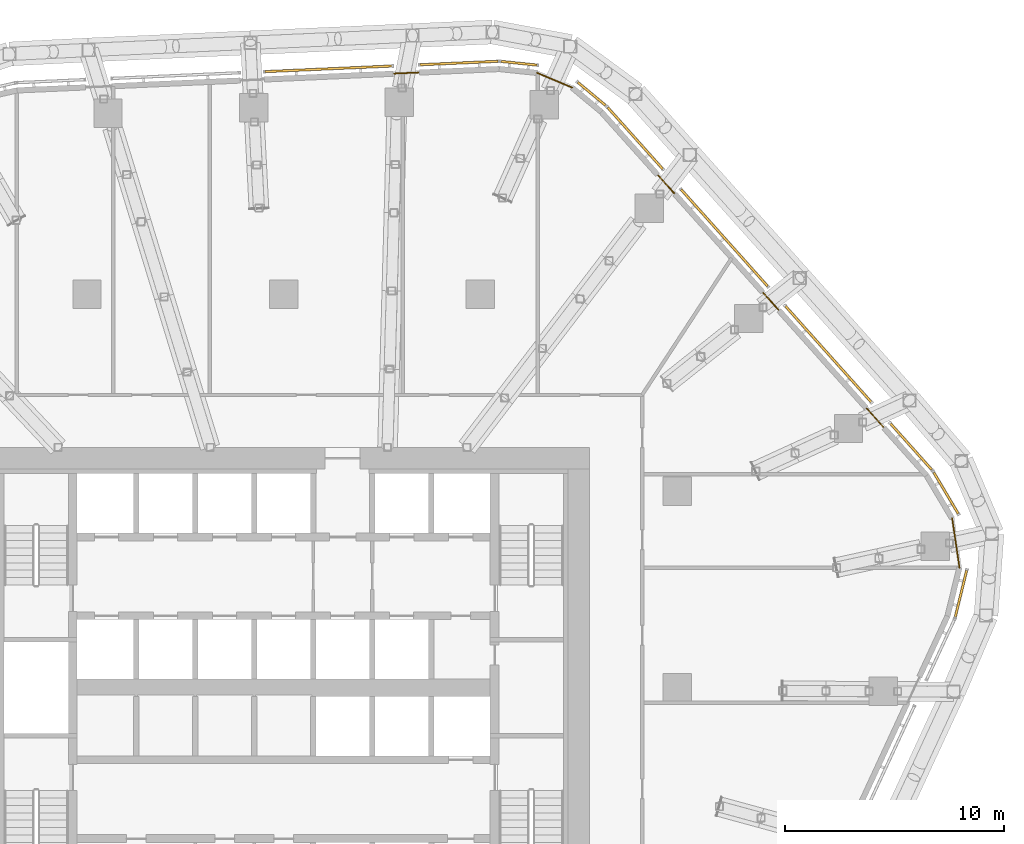
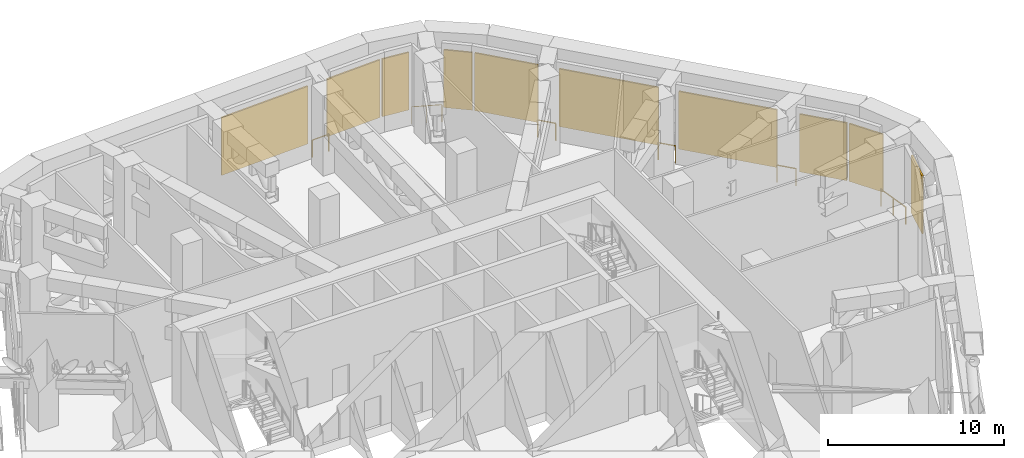
# One storey, part 30 of 30: 10 coverings, 6 railings, 4 elements without a shape of their own.
"""IFC4 building model written with IfcOpenShell, lengths in metres."""

from ifc_helpers import new_model, si_unit, direction, frame, origin, origin_2d, place, context, subcontext, project, spatial, rectangle, circle, extrude, material, layer, layer_set, type_object, element, aggregate, save


model = new_model("IFC4")

# Units and contexts
model_context = context("Model", 3, precision=1e-05, world=origin(), true_north=direction((0.0, 1.0)))
body_context = subcontext(model_context, "Body", "Model", "MODEL_VIEW")
ifc_project = project(units=[si_unit("LENGTHUNIT", "METRE"), si_unit("AREAUNIT", "SQUARE_METRE"), si_unit("VOLUMEUNIT", "CUBIC_METRE"), si_unit("PLANEANGLEUNIT", "RADIAN"), si_unit("MASSUNIT", "GRAM", prefix="KILO")], contexts=[model_context])

# Site, building, storey
site_placement = place(None, origin())
site = spatial("IfcSite", under=ifc_project, at=site_placement, CompositionType="ELEMENT")
building_placement = place(site_placement, origin())
building = spatial("IfcBuilding", under=site, at=building_placement, Name="Dongbaek Canopy Tower", CompositionType="ELEMENT")
storey_placement = place(building_placement, frame((0.0, 0.0, 145.60009765625)))
storey = spatial("IfcBuildingStorey", under=building, at=storey_placement, Name="L32", CompositionType="ELEMENT", Elevation=145.60009765625)

# Curtain wall, coverings
ifc_material_1 = material(Name="Aluminium 6063-T6 pale anodised", Category="aluminium")
ifc_layer_1 = layer(ifc_material_1, 0.14990234375)
ifc_layer_set_1 = layer_set([ifc_layer_1], Name="CW-7 louvre curtain wall")
curtain_wall_type = type_object("IfcCurtainWallType", Name="CW-7 louvre curtain wall", PredefinedType="NOTDEFINED", material=ifc_layer_set_1)
curtain_wall_1_placement = place(storey_placement, origin())
curtain_wall_1 = element("IfcCurtainWall", 1, at=curtain_wall_1_placement, inside=storey, type_object=curtain_wall_type, Name="CW-7 louvre wall L32 K0", PredefinedType="NOTDEFINED")
ifc_material_2 = material(Name="Aluminium 6063-T6 pale metal louvre blades", Category="aluminium")
ifc_layer_2 = layer(ifc_material_2, 0.10009765625)
ifc_layer_set_2 = layer_set([ifc_layer_2], Name="Louvre LV bank 100 x 4000")
covering_type = type_object("IfcCoveringType", Name="Louvre LV bank 100 x 4000", PredefinedType="CLADDING", material=ifc_layer_set_2)
covering_1_placement = place(storey_placement, frame((30.98974609375, 4.307861328125, 0.77490234375), z_axis=(0.0, 0.0, 1.0), x_axis=(0.237585371105, 0.971366661687, 0.0)))
covering_1 = element("IfcCovering", 2, at=covering_1_placement, type_object=covering_type, Name="Louvre L32 K0.1.1", PredefinedType="CLADDING", context=body_context, shape_type="SweptSolid", body=[
    extrude(rectangle(XDim=2.193359375, YDim=0.10009765625, at=origin_2d()), origin(), (0.0, 0.0, 1.0), 4.0),
])
covering_2_placement = place(storey_placement, frame((30.3037109375, 8.908935546875, 0.77490234375), z_axis=(0.0, 0.0, 1.0), x_axis=(-0.510580070547, 0.859830210891, 0.0)))
covering_2 = element("IfcCovering", 3, at=covering_2_placement, type_object=covering_type, Name="Louvre L32 K0.2.1", PredefinedType="CLADDING", context=body_context, shape_type="SweptSolid", body=[
    extrude(rectangle(XDim=2.193359375, YDim=0.10009765625, at=origin_2d()), origin(), (0.0, 0.0, 1.0), 4.0),
])
aggregate(curtain_wall_1, [covering_1, covering_2])

curtain_wall_2_placement = place(storey_placement, origin())
curtain_wall_2 = element("IfcCurtainWall", 4, at=curtain_wall_2_placement, inside=storey, type_object=curtain_wall_type, Name="CW-7 louvre wall L32 F0", PredefinedType="NOTDEFINED")
covering_3_placement = place(storey_placement, frame((28.705322265625, 11.03564453125, 0.77490234375), z_axis=(0.0, 0.0, 1.0), x_axis=(-0.666716064964, 0.745311806373, 0.0)))
covering_3 = element("IfcCovering", 5, at=covering_3_placement, type_object=covering_type, Name="Louvre L32 F0.1.1", PredefinedType="CLADDING", context=body_context, shape_type="SweptSolid", body=[
    extrude(rectangle(XDim=2.836181640625, YDim=0.10009765625, at=origin_2d()), origin(), (0.0, 0.0, 1.0), 4.0),
])
covering_4_placement = place(storey_placement, frame((24.9169921875, 15.270751953125, 0.77490234375), z_axis=(0.0, 0.0, 1.0), x_axis=(-0.666716064964, 0.745311806373, 0.0)))
covering_4 = element("IfcCovering", 6, at=covering_4_placement, type_object=covering_type, Name="Louvre L32 F0.2.1", PredefinedType="CLADDING", context=body_context, shape_type="SweptSolid", body=[
    extrude(rectangle(XDim=5.8857421875, YDim=0.10009765625, at=origin_2d()), origin(), (0.0, 0.0, 1.0), 4.0),
])
covering_5_placement = place(storey_placement, frame((20.166748046875, 20.580810546875, 0.77490234375), z_axis=(0.0, 0.0, 1.0), x_axis=(-0.666716064964, 0.745311806373, 0.0)))
covering_5 = element("IfcCovering", 7, at=covering_5_placement, type_object=covering_type, Name="Louvre L32 F0.3.1", PredefinedType="CLADDING", context=body_context, shape_type="SweptSolid", body=[
    extrude(rectangle(XDim=5.933837890625, YDim=0.10009765625, at=origin_2d()), origin(), (0.0, 0.0, 1.0), 4.0),
])
covering_6_placement = place(storey_placement, frame((16.08349609375, 25.1455078125, 0.77490234375), z_axis=(0.0, 0.0, 1.0), x_axis=(-0.666716064964, 0.745311806373, 0.0)))
covering_6 = element("IfcCovering", 8, at=covering_6_placement, type_object=covering_type, Name="Louvre L32 F0.4.1", PredefinedType="CLADDING", context=body_context, shape_type="SweptSolid", body=[
    extrude(rectangle(XDim=3.77197265625, YDim=0.10009765625, at=origin_2d()), origin(), (0.0, 0.0, 1.0), 4.0),
])
aggregate(curtain_wall_2, [covering_3, covering_4, covering_5, covering_6])

curtain_wall_3_placement = place(storey_placement, origin())
curtain_wall_3 = element("IfcCurtainWall", 9, at=curtain_wall_3_placement, inside=storey, type_object=curtain_wall_type, Name="CW-7 louvre wall L32 K1", PredefinedType="NOTDEFINED")
covering_7_placement = place(storey_placement, frame((14.089111328125, 27.17724609375, 0.77490234375), z_axis=(0.0, 0.0, 1.0), x_axis=(-0.769052031446, 0.639186180176, 0.0)))
covering_7 = element("IfcCovering", 10, at=covering_7_placement, type_object=covering_type, Name="Louvre L32 K1.1.1", PredefinedType="CLADDING", context=body_context, shape_type="SweptSolid", body=[
    extrude(rectangle(XDim=1.652099609375, YDim=0.10009765625, at=origin_2d()), origin(), (0.0, 0.0, 1.0), 4.0),
])
covering_8_placement = place(storey_placement, frame((10.766357421875, 28.575439453125, 0.77490234375), z_axis=(0.0, 0.0, 1.0), x_axis=(-0.99468080304, 0.103005339972, 0.0)))
covering_8 = element("IfcCovering", 11, at=covering_8_placement, type_object=covering_type, Name="Louvre L32 K1.2.1", PredefinedType="CLADDING", context=body_context, shape_type="SweptSolid", body=[
    extrude(rectangle(XDim=1.652099609375, YDim=0.10009765625, at=origin_2d()), origin(), (0.0, 0.0, 1.0), 4.0),
])
aggregate(curtain_wall_3, [covering_7, covering_8])

curtain_wall_4_placement = place(storey_placement, origin())
curtain_wall_4 = element("IfcCurtainWall", 12, at=curtain_wall_4_placement, inside=storey, type_object=curtain_wall_type, Name="CW-7 louvre wall L32 F1", PredefinedType="NOTDEFINED")
covering_9_placement = place(storey_placement, frame((8.021484375, 28.585693359375, 0.77490234375), z_axis=(0.0, 0.0, 1.0), x_axis=(-0.999015616031, -0.044359879696, 0.0)))
covering_9 = element("IfcCovering", 13, at=covering_9_placement, type_object=covering_type, Name="Louvre L32 F1.1.1", PredefinedType="CLADDING", context=body_context, shape_type="SweptSolid", body=[
    extrude(rectangle(XDim=3.56689453125, YDim=0.10009765625, at=origin_2d()), origin(), (0.0, 0.0, 1.0), 4.0),
])
covering_10_placement = place(storey_placement, frame((2.044189453125, 28.320068359375, 0.77490234375), z_axis=(0.0, 0.0, 1.0), x_axis=(-0.999015616031, -0.044359879696, 0.0)))
covering_10 = element("IfcCovering", 14, at=covering_10_placement, type_object=covering_type, Name="Louvre L32 F1.2.1", PredefinedType="CLADDING", context=body_context, shape_type="SweptSolid", body=[
    extrude(rectangle(XDim=5.81201171875, YDim=0.10009765625, at=origin_2d()), origin(), (0.0, 0.0, 1.0), 4.0),
])
aggregate(curtain_wall_4, [covering_9, covering_10])

# Railings
ifc_material_3 = material(Name="Stainless steel", Category="steel")
railing_type = type_object("IfcRailingType", Name="Plant opening guard 1200", PredefinedType="GUARDRAIL", material=ifc_material_3)
railing_1_placement = place(storey_placement, frame((30.9208984375, 5.5, 0.0)))
element("IfcRailing", 15, at=railing_1_placement, inside=storey, type_object=railing_type, Name="Plant opening guard L32 K0 1", PredefinedType="GUARDRAIL", context=body_context, shape_type="SweptSolid", body=[
    extrude(circle(Radius=0.02392578125, at=origin_2d()), frame((0.0, 0.0, 1.17578125), z_axis=(-0.147447656697, 0.98906986029, 0.0), x_axis=(-0.98906986029, -0.147447656697, 0.0)), (0.0, 0.0, 1.0), 2.2734375),
    extrude(circle(Radius=0.02099609375, at=origin_2d()), origin(), (0.0, 0.0, 1.0), 1.15185546875),
    extrude(circle(Radius=0.02099609375, at=origin_2d()), frame((-0.16748046875, 1.124267578125, 0.0)), (0.0, 0.0, 1.0), 1.15185546875),
    extrude(circle(Radius=0.02099609375, at=origin_2d()), frame((-0.335205078125, 2.24853515625, 0.0)), (0.0, 0.0, 1.0), 1.15185546875),
])
railing_2_placement = place(storey_placement, frame((27.435546875, 11.93017578125, 0.0)))
element("IfcRailing", 16, at=railing_2_placement, inside=storey, type_object=railing_type, Name="Plant opening guard L32 F0 1", PredefinedType="GUARDRAIL", context=body_context, shape_type="SweptSolid", body=[
    extrude(circle(Radius=0.02392578125, at=origin_2d()), frame((0.0, 0.0, 1.17578125), z_axis=(-0.666731765198, 0.745297761486, 0.0), x_axis=(-0.745297761486, -0.666731765198, 0.0)), (0.0, 0.0, 1.0), 1.131103515625),
    extrude(circle(Radius=0.02099609375, at=origin_2d()), origin(), (0.0, 0.0, 1.0), 1.15185546875),
    extrude(circle(Radius=0.02099609375, at=origin_2d()), frame((-0.754150390625, 0.843017578125, 0.0)), (0.0, 0.0, 1.0), 1.15185546875),
])
railing_3_placement = place(storey_placement, frame((22.630615234375, 17.301513671875, 0.0)))
element("IfcRailing", 17, at=railing_3_placement, inside=storey, type_object=railing_type, Name="Plant opening guard L32 F0 2", PredefinedType="GUARDRAIL", context=body_context, shape_type="SweptSolid", body=[
    extrude(circle(Radius=0.02392578125, at=origin_2d()), frame((0.0, 0.0, 1.17578125), z_axis=(-0.666711303364, 0.745316065818, 0.0), x_axis=(-0.745316065818, -0.666711303364, 0.0)), (0.0, 0.0, 1.0), 1.02490234375),
    extrude(circle(Radius=0.02099609375, at=origin_2d()), origin(), (0.0, 0.0, 1.0), 1.15185546875),
    extrude(circle(Radius=0.02099609375, at=origin_2d()), frame((-0.683349609375, 0.763916015625, 0.0)), (0.0, 0.0, 1.0), 1.15185546875),
])
railing_4_placement = place(storey_placement, frame((17.864501953125, 22.629638671875, 0.0)))
element("IfcRailing", 18, at=railing_4_placement, inside=storey, type_object=railing_type, Name="Plant opening guard L32 F0 3", PredefinedType="GUARDRAIL", context=body_context, shape_type="SweptSolid", body=[
    extrude(circle(Radius=0.02392578125, at=origin_2d()), frame((0.0, 0.0, 1.17578125), z_axis=(-0.666854245966, 0.745188173979, 0.0), x_axis=(-0.745188173979, -0.666854245966, 0.0)), (0.0, 0.0, 1.0), 1.08154296875),
    extrude(circle(Radius=0.02099609375, at=origin_2d()), origin(), (0.0, 0.0, 1.0), 1.15185546875),
    extrude(circle(Radius=0.02099609375, at=origin_2d()), frame((-0.72119140625, 0.805908203125, 0.0)), (0.0, 0.0, 1.0), 1.15185546875),
])
railing_5_placement = place(storey_placement, frame((13.1953125, 27.46484375, 0.0)))
element("IfcRailing", 19, at=railing_5_placement, inside=storey, type_object=railing_type, Name="Plant opening guard L32 K1 1", PredefinedType="GUARDRAIL", context=body_context, shape_type="SweptSolid", body=[
    extrude(circle(Radius=0.02392578125, at=origin_2d()), frame((0.0, 0.0, 1.17578125), z_axis=(-0.921688358078, 0.387931141549, 0.0), x_axis=(-0.387931141549, -0.921688358078, 0.0)), (0.0, 0.0, 1.0), 1.734375),
    extrude(circle(Radius=0.02099609375, at=origin_2d()), origin(), (0.0, 0.0, 1.0), 1.15185546875),
    extrude(circle(Radius=0.02099609375, at=origin_2d()), frame((-0.79931640625, 0.33642578125, 0.0)), (0.0, 0.0, 1.0), 1.15185546875),
    extrude(circle(Radius=0.02099609375, at=origin_2d()), frame((-1.5986328125, 0.6728515625, 0.0)), (0.0, 0.0, 1.0), 1.15185546875),
])
railing_6_placement = place(storey_placement, frame((6.160400390625, 28.152587890625, 0.0)))
element("IfcRailing", 20, at=railing_6_placement, inside=storey, type_object=railing_type, Name="Plant opening guard L32 F1 1", PredefinedType="GUARDRAIL", context=body_context, shape_type="SweptSolid", body=[
    extrude(circle(Radius=0.02392578125, at=origin_2d()), frame((0.0, 0.0, 1.17578125), z_axis=(-0.999011406944, -0.044454570023, 0.0), x_axis=(0.044454570023, -0.999011406944, 0.0)), (0.0, 0.0, 1.0), 1.103759765625),
    extrude(circle(Radius=0.02099609375, at=origin_2d()), origin(), (0.0, 0.0, 1.0), 1.15185546875),
    extrude(circle(Radius=0.02099609375, at=origin_2d()), frame((-1.102783203125, -0.049072265625, 0.0)), (0.0, 0.0, 1.0), 1.15185546875),
])

save(model, "model.ifc")
